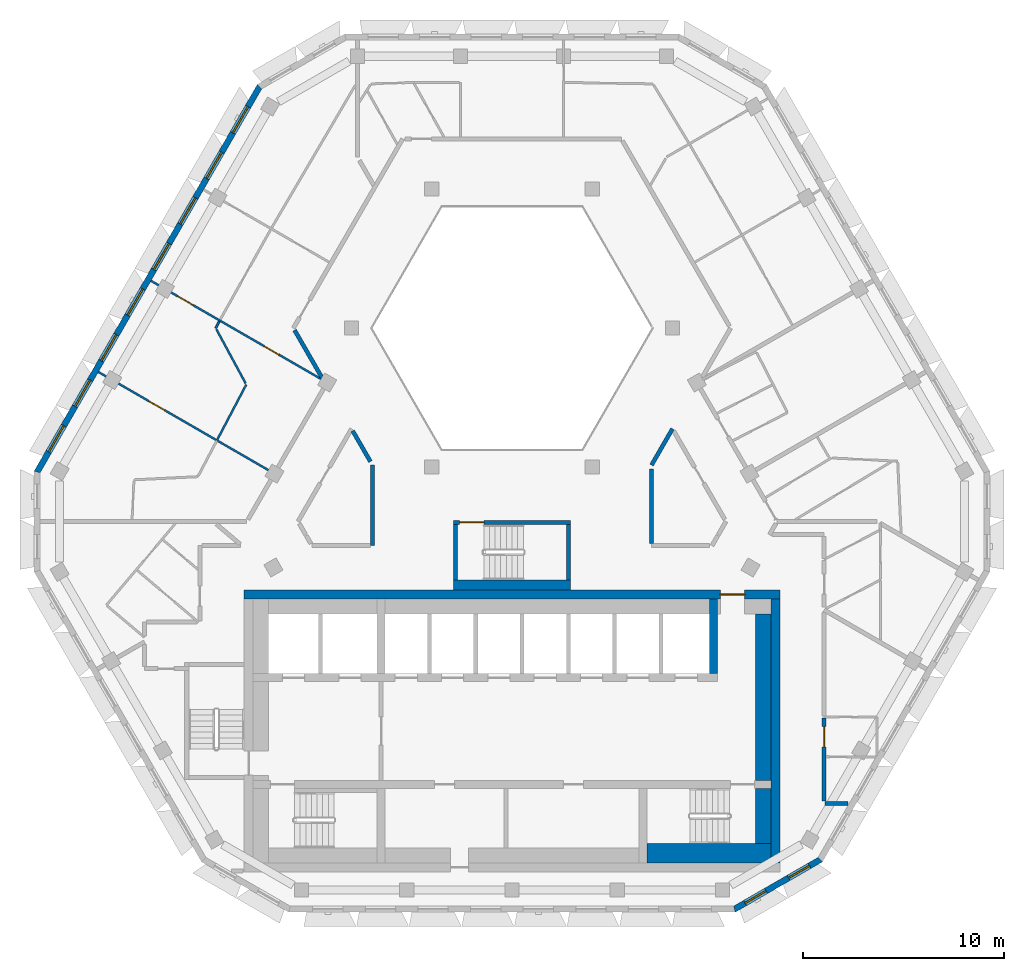
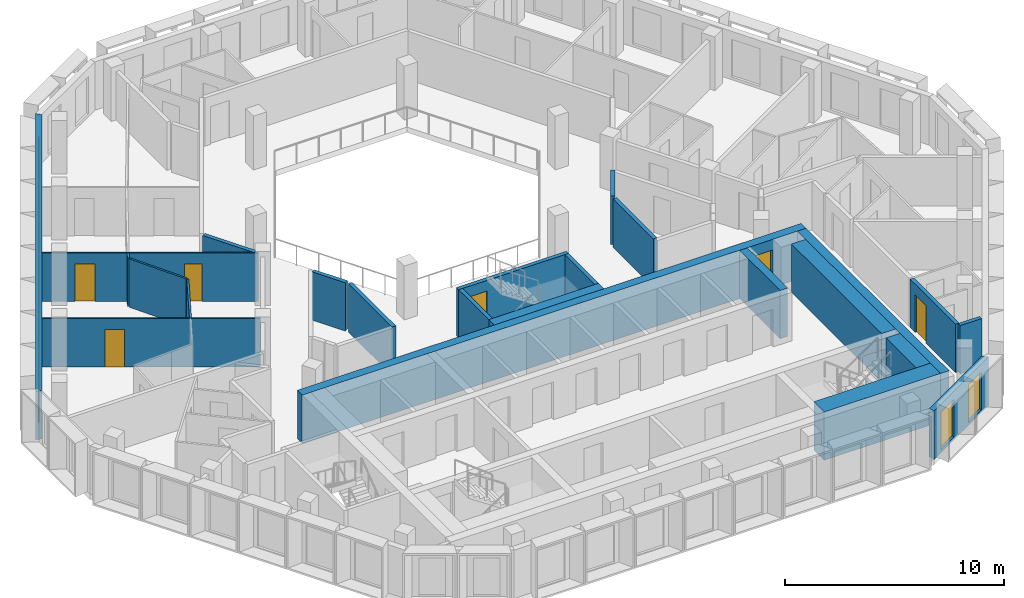
# One storey, part 5 of 16: 24 walls, 10 windows, 6 doors, 16 openings.
"""IFC4 building model written with IfcOpenShell, lengths in metres."""

from ifc_helpers import new_model, si_unit, direction, frame, frame_2d, origin, place, context, subcontext, project, spatial, polyline, rectangle, outline, extrude, material, layer, layer_set, type_object, element, fill, save


model = new_model("IFC4")

# Units and contexts
model_context = context("Model", 3, precision=1e-05, world=origin(), true_north=direction((0.0, 1.0)))
body_context = subcontext(model_context, "Body", "Model", "MODEL_VIEW")
ifc_project = project(units=[si_unit("LENGTHUNIT", "METRE"), si_unit("AREAUNIT", "SQUARE_METRE"), si_unit("VOLUMEUNIT", "CUBIC_METRE"), si_unit("PLANEANGLEUNIT", "RADIAN"), si_unit("MASSUNIT", "GRAM", prefix="KILO")], contexts=[model_context])

# Site, building, storey
site_placement = place(None, origin())
site = spatial("IfcSite", under=ifc_project, at=site_placement, CompositionType="ELEMENT")
building_placement = place(site_placement, origin())
building = spatial("IfcBuilding", under=site, at=building_placement, Name="Beryl Residences", CompositionType="ELEMENT")
storey_placement = place(building_placement, frame((0.0, 0.0, 238.800048828125)))
storey = spatial("IfcBuildingStorey", under=building, at=storey_placement, Name="L74", CompositionType="ELEMENT", Elevation=238.800048828125)

# Wall, openings, windows
ifc_material_1 = material(Name="Composite metal panel with mineral wool insulation")
ifc_layer_1 = layer(ifc_material_1, 0.300048828125)
ifc_layer_set_1 = layer_set([ifc_layer_1], Name="ES1 pale metal composite panel wall 300 mm")
wall_type_1 = type_object("IfcWallType", Name="ES1 pale metal composite panel wall 300 mm", PredefinedType="SOLIDWALL", material=ifc_layer_set_1)
wall_1_placement = place(storey_placement, frame((-12.513916015625, 20.02490234375, 0.0), z_axis=(0.0, 0.0, 1.0), x_axis=(-0.500003656944, -0.866023292436, 0.0)))
wall_1 = element("IfcWall", 1, at=wall_1_placement, inside=storey, type_object=wall_type_1, Name="ES1 external wall L74 NW", PredefinedType="SOLIDWALL", context=body_context, shape_type="SweptSolid", body=[
    extrude(outline(polyline([(0.0, -0.14990234375), (22.170166015625, -0.14990234375), (22.08984375, 0.14990234375), (0.080322265625, 0.14990234375), (0.0, -0.14990234375)])), origin(), (0.0, 0.0, 1.0), 2.699951171875),
])
opening_1_placement = place(wall_1_placement, frame((1.19091796875, 0.0, 0.14990234375)))
opening_1 = element("IfcOpeningElement", 2, at=opening_1_placement, cuts=wall_1, Name="Opening W1", PredefinedType="OPENING", context=body_context, shape_type="SweptSolid", body=[
    extrude(rectangle(XDim=1.5, YDim=2.10009765625, at=frame_2d((0.75, 1.050048828125))), frame((0.0, 0.159912109375, 0.0), z_axis=(0.0, -1.0, 0.0), x_axis=(1.0, 0.0, 0.0)), (0.0, 0.0, 1.0), 0.320068359375),
])
opening_2_placement = place(wall_1_placement, frame((3.803955078125, 0.0, 0.14990234375)))
opening_2 = element("IfcOpeningElement", 3, at=opening_2_placement, cuts=wall_1, Name="Opening W1", PredefinedType="OPENING", context=body_context, shape_type="SweptSolid", body=[
    extrude(rectangle(XDim=1.5, YDim=2.10009765625, at=frame_2d((0.75, 1.050048828125))), frame((0.0, 0.159912109375, 0.0), z_axis=(0.0, -1.0, 0.0), x_axis=(1.0, 0.0, 0.0)), (0.0, 0.0, 1.0), 0.320068359375),
])
opening_3_placement = place(wall_1_placement, frame((6.416015625, 0.0, 0.14990234375)))
opening_3 = element("IfcOpeningElement", 4, at=opening_3_placement, cuts=wall_1, Name="Opening W1", PredefinedType="OPENING", context=body_context, shape_type="SweptSolid", body=[
    extrude(rectangle(XDim=1.5, YDim=2.10009765625, at=frame_2d((0.75, 1.050048828125))), frame((0.0, 0.159912109375, 0.0), z_axis=(0.0, -1.0, 0.0), x_axis=(1.0, 0.0, 0.0)), (0.0, 0.0, 1.0), 0.320068359375),
])
opening_4_placement = place(wall_1_placement, frame((9.029052734375, 0.0, 0.14990234375)))
opening_4 = element("IfcOpeningElement", 5, at=opening_4_placement, cuts=wall_1, Name="Opening W1", PredefinedType="OPENING", context=body_context, shape_type="SweptSolid", body=[
    extrude(rectangle(XDim=1.5, YDim=2.10009765625, at=frame_2d((0.75, 1.050048828125))), frame((0.0, 0.159912109375, 0.0), z_axis=(0.0, -1.0, 0.0), x_axis=(1.0, 0.0, 0.0)), (0.0, 0.0, 1.0), 0.320068359375),
])
opening_5_placement = place(wall_1_placement, frame((11.64111328125, 0.0, 0.14990234375)))
opening_5 = element("IfcOpeningElement", 6, at=opening_5_placement, cuts=wall_1, Name="Opening W1", PredefinedType="OPENING", context=body_context, shape_type="SweptSolid", body=[
    extrude(rectangle(XDim=1.5, YDim=2.10009765625, at=frame_2d((0.75, 1.050048828125))), frame((0.0, 0.159912109375, 0.0), z_axis=(0.0, -1.0, 0.0), x_axis=(1.0, 0.0, 0.0)), (0.0, 0.0, 1.0), 0.320068359375),
])
opening_6_placement = place(wall_1_placement, frame((14.25390625, 0.0, 0.14990234375)))
opening_6 = element("IfcOpeningElement", 7, at=opening_6_placement, cuts=wall_1, Name="Opening W1", PredefinedType="OPENING", context=body_context, shape_type="SweptSolid", body=[
    extrude(rectangle(XDim=1.5, YDim=2.10009765625, at=frame_2d((0.75, 1.050048828125))), frame((0.0, 0.159912109375, 0.0), z_axis=(0.0, -1.0, 0.0), x_axis=(1.0, 0.0, 0.0)), (0.0, 0.0, 1.0), 0.320068359375),
])
opening_7_placement = place(wall_1_placement, frame((16.865966796875, 0.0, 0.14990234375)))
opening_7 = element("IfcOpeningElement", 8, at=opening_7_placement, cuts=wall_1, Name="Opening W1", PredefinedType="OPENING", context=body_context, shape_type="SweptSolid", body=[
    extrude(rectangle(XDim=1.5, YDim=2.10009765625, at=frame_2d((0.75, 1.050048828125))), frame((0.0, 0.159912109375, 0.0), z_axis=(0.0, -1.0, 0.0), x_axis=(1.0, 0.0, 0.0)), (0.0, 0.0, 1.0), 0.320068359375),
])
opening_8_placement = place(wall_1_placement, frame((19.47900390625, 0.0, 0.14990234375)))
opening_8 = element("IfcOpeningElement", 9, at=opening_8_placement, cuts=wall_1, Name="Opening W1", PredefinedType="OPENING", context=body_context, shape_type="SweptSolid", body=[
    extrude(rectangle(XDim=1.5, YDim=2.10009765625, at=frame_2d((0.75, 1.050048828125))), frame((0.0, 0.159912109375, 0.0), z_axis=(0.0, -1.0, 0.0), x_axis=(1.0, 0.0, 0.0)), (0.0, 0.0, 1.0), 0.320068359375),
])
ifc_material_2 = material(Name="Aluminium and clear glass", Category="aluminium")
window_type_1 = type_object("IfcWindowType", Name="W1 cell window 1500 x 2100 mm", PartitioningType="SINGLE_PANEL", PredefinedType="WINDOW", material=ifc_material_2)
window_1_placement = place(opening_1_placement, origin())
window_1 = element("IfcWindow", 10, at=window_1_placement, inside=storey, type_object=window_type_1, Name="W1 window L74 NW 1", OverallHeight=2.10009765625, OverallWidth=1.5, PartitioningType="SINGLE_PANEL", PredefinedType="WINDOW", context=body_context, shape_type="SweptSolid", body=[
    extrude(rectangle(XDim=1.5, YDim=2.10009765625, at=frame_2d((0.75, 1.050048828125))), frame((0.0, 0.030029296875, 0.0), z_axis=(0.0, -1.0, 0.0), x_axis=(1.0, 0.0, 0.0)), (0.0, 0.0, 1.0), 0.06005859375),
])
fill(opening_1, window_1)
window_2_placement = place(opening_2_placement, origin())
window_2 = element("IfcWindow", 11, at=window_2_placement, inside=storey, type_object=window_type_1, Name="W1 window L74 NW 2", OverallHeight=2.10009765625, OverallWidth=1.5, PartitioningType="SINGLE_PANEL", PredefinedType="WINDOW", context=body_context, shape_type="SweptSolid", body=[
    extrude(rectangle(XDim=1.5, YDim=2.10009765625, at=frame_2d((0.75, 1.050048828125))), frame((0.0, 0.030029296875, 0.0), z_axis=(0.0, -1.0, 0.0), x_axis=(1.0, 0.0, 0.0)), (0.0, 0.0, 1.0), 0.06005859375),
])
fill(opening_2, window_2)
window_3_placement = place(opening_3_placement, origin())
window_3 = element("IfcWindow", 12, at=window_3_placement, inside=storey, type_object=window_type_1, Name="W1 window L74 NW 3", OverallHeight=2.10009765625, OverallWidth=1.5, PartitioningType="SINGLE_PANEL", PredefinedType="WINDOW", context=body_context, shape_type="SweptSolid", body=[
    extrude(rectangle(XDim=1.5, YDim=2.10009765625, at=frame_2d((0.75, 1.050048828125))), frame((0.0, 0.030029296875, 0.0), z_axis=(0.0, -1.0, 0.0), x_axis=(1.0, 0.0, 0.0)), (0.0, 0.0, 1.0), 0.06005859375),
])
fill(opening_3, window_3)
window_4_placement = place(opening_4_placement, origin())
window_4 = element("IfcWindow", 13, at=window_4_placement, inside=storey, type_object=window_type_1, Name="W1 window L74 NW 4", OverallHeight=2.10009765625, OverallWidth=1.5, PartitioningType="SINGLE_PANEL", PredefinedType="WINDOW", context=body_context, shape_type="SweptSolid", body=[
    extrude(rectangle(XDim=1.5, YDim=2.10009765625, at=frame_2d((0.75, 1.050048828125))), frame((0.0, 0.030029296875, 0.0), z_axis=(0.0, -1.0, 0.0), x_axis=(1.0, 0.0, 0.0)), (0.0, 0.0, 1.0), 0.06005859375),
])
fill(opening_4, window_4)
window_5_placement = place(opening_5_placement, origin())
window_5 = element("IfcWindow", 14, at=window_5_placement, inside=storey, type_object=window_type_1, Name="W1 window L74 NW 5", OverallHeight=2.10009765625, OverallWidth=1.5, PartitioningType="SINGLE_PANEL", PredefinedType="WINDOW", context=body_context, shape_type="SweptSolid", body=[
    extrude(rectangle(XDim=1.5, YDim=2.10009765625, at=frame_2d((0.75, 1.050048828125))), frame((0.0, 0.030029296875, 0.0), z_axis=(0.0, -1.0, 0.0), x_axis=(1.0, 0.0, 0.0)), (0.0, 0.0, 1.0), 0.06005859375),
])
fill(opening_5, window_5)
window_6_placement = place(opening_6_placement, origin())
window_6 = element("IfcWindow", 15, at=window_6_placement, inside=storey, type_object=window_type_1, Name="W1 window L74 NW 6", OverallHeight=2.10009765625, OverallWidth=1.5, PartitioningType="SINGLE_PANEL", PredefinedType="WINDOW", context=body_context, shape_type="SweptSolid", body=[
    extrude(rectangle(XDim=1.5, YDim=2.10009765625, at=frame_2d((0.75, 1.050048828125))), frame((0.0, 0.030029296875, 0.0), z_axis=(0.0, -1.0, 0.0), x_axis=(1.0, 0.0, 0.0)), (0.0, 0.0, 1.0), 0.06005859375),
])
fill(opening_6, window_6)
window_7_placement = place(opening_7_placement, origin())
window_7 = element("IfcWindow", 16, at=window_7_placement, inside=storey, type_object=window_type_1, Name="W1 window L74 NW 7", OverallHeight=2.10009765625, OverallWidth=1.5, PartitioningType="SINGLE_PANEL", PredefinedType="WINDOW", context=body_context, shape_type="SweptSolid", body=[
    extrude(rectangle(XDim=1.5, YDim=2.10009765625, at=frame_2d((0.75, 1.050048828125))), frame((0.0, 0.030029296875, 0.0), z_axis=(0.0, -1.0, 0.0), x_axis=(1.0, 0.0, 0.0)), (0.0, 0.0, 1.0), 0.06005859375),
])
fill(opening_7, window_7)
window_8_placement = place(opening_8_placement, origin())
window_8 = element("IfcWindow", 17, at=window_8_placement, inside=storey, type_object=window_type_1, Name="W1 window L74 NW 8", OverallHeight=2.10009765625, OverallWidth=1.5, PartitioningType="SINGLE_PANEL", PredefinedType="WINDOW", context=body_context, shape_type="SweptSolid", body=[
    extrude(rectangle(XDim=1.5, YDim=2.10009765625, at=frame_2d((0.75, 1.050048828125))), frame((0.0, 0.030029296875, 0.0), z_axis=(0.0, -1.0, 0.0), x_axis=(1.0, 0.0, 0.0)), (0.0, 0.0, 1.0), 0.06005859375),
])
fill(opening_8, window_8)

wall_2_placement = place(storey_placement, frame((11.010009765625, -20.8701171875, 0.0), z_axis=(0.0, 0.0, 1.0), x_axis=(0.866022959057, 0.500004234368, 0.0)))
wall_2 = element("IfcWall", 18, at=wall_2_placement, inside=storey, type_object=wall_type_1, Name="ES1 external wall L74 S-SE", PredefinedType="SOLIDWALL", context=body_context, shape_type="SweptSolid", body=[
    extrude(outline(polyline([(0.0, -0.14990234375), (5.0, -0.14990234375), (4.919677734375, 0.14990234375), (0.080322265625, 0.14990234375), (0.0, -0.14990234375)])), origin(), (0.0, 0.0, 1.0), 2.699951171875),
])
opening_9_placement = place(wall_2_placement, frame((0.64990234375, 0.0, 0.14990234375)))
opening_9 = element("IfcOpeningElement", 19, at=opening_9_placement, cuts=wall_2, Name="Opening W2", PredefinedType="OPENING", context=body_context, shape_type="SweptSolid", body=[
    extrude(rectangle(XDim=1.199951171875, YDim=2.10009765625, at=frame_2d((0.60009765625, 1.050048828125))), frame((0.0, 0.159912109375, 0.0), z_axis=(0.0, -1.0, 0.0), x_axis=(1.0, 0.0, 0.0)), (0.0, 0.0, 1.0), 0.320068359375),
])
opening_10_placement = place(wall_2_placement, frame((3.14892578125, 0.0, 0.14990234375)))
opening_10 = element("IfcOpeningElement", 20, at=opening_10_placement, cuts=wall_2, Name="Opening W2", PredefinedType="OPENING", context=body_context, shape_type="SweptSolid", body=[
    extrude(rectangle(XDim=1.199951171875, YDim=2.10009765625, at=frame_2d((0.60009765625, 1.050048828125))), frame((0.0, 0.159912109375, 0.0), z_axis=(0.0, -1.0, 0.0), x_axis=(1.0, 0.0, 0.0)), (0.0, 0.0, 1.0), 0.320068359375),
])
ifc_material_3 = material(Name="Aluminium and clear glass", Category="aluminium")
window_type_2 = type_object("IfcWindowType", Name="W2 chamfer window 1200 x 2100 mm", PartitioningType="SINGLE_PANEL", PredefinedType="WINDOW", material=ifc_material_3)
window_9_placement = place(opening_9_placement, origin())
window_9 = element("IfcWindow", 21, at=window_9_placement, inside=storey, type_object=window_type_2, Name="W2 window L74 S-SE 1", OverallHeight=2.10009765625, OverallWidth=1.199951171875, PartitioningType="SINGLE_PANEL", PredefinedType="WINDOW", context=body_context, shape_type="SweptSolid", body=[
    extrude(rectangle(XDim=1.199951171875, YDim=2.10009765625, at=frame_2d((0.60009765625, 1.050048828125))), frame((0.0, 0.030029296875, 0.0), z_axis=(0.0, -1.0, 0.0), x_axis=(1.0, 0.0, 0.0)), (0.0, 0.0, 1.0), 0.06005859375),
])
fill(opening_9, window_9)
window_10_placement = place(opening_10_placement, origin())
window_10 = element("IfcWindow", 22, at=window_10_placement, inside=storey, type_object=window_type_2, Name="W2 window L74 S-SE 2", OverallHeight=2.10009765625, OverallWidth=1.199951171875, PartitioningType="SINGLE_PANEL", PredefinedType="WINDOW", context=body_context, shape_type="SweptSolid", body=[
    extrude(rectangle(XDim=1.199951171875, YDim=2.10009765625, at=frame_2d((0.60009765625, 1.050048828125))), frame((0.0, 0.030029296875, 0.0), z_axis=(0.0, -1.0, 0.0), x_axis=(1.0, 0.0, 0.0)), (0.0, 0.0, 1.0), 0.06005859375),
])
fill(opening_10, window_10)

# Wall
ifc_material_4 = material(Name="Gypsum board partition on steel studs", Category="steel")
ifc_layer_2 = layer(ifc_material_4, 0.10009765625)
ifc_layer_set_2 = layer_set([ifc_layer_2], Name="PT1 partition 100 mm gypsum board on steel studs")
wall_type_2 = type_object("IfcWallType", Name="PT1 partition 100 mm gypsum board on steel studs", PredefinedType="PARTITIONING", material=ifc_layer_set_2)
wall_3_placement = place(storey_placement, frame((-14.679931640625, 7.947021484375, 0.0), z_axis=(0.0, 0.0, 1.0), x_axis=(0.475823637798, -0.879540712936, 0.0)))
element("IfcWall", 23, at=wall_3_placement, inside=storey, type_object=wall_type_2, Name="Wall PT1 L74 009", PredefinedType="PARTITIONING", context=body_context, shape_type="SweptSolid", body=[
    extrude(rectangle(XDim=3.064208984375, YDim=0.10009765625, at=frame_2d((1.5322265625, 0.0))), origin(), (0.0, 0.0, 1.0), 2.699951171875),
])

# Wall, opening, door
wall_4_placement = place(storey_placement, frame((-20.5390625, 5.824951171875, 0.0), z_axis=(0.0, 0.0, 1.0), x_axis=(0.866047370643, -0.499961950354, 0.0)))
wall_4 = element("IfcWall", 24, at=wall_4_placement, inside=storey, type_object=wall_type_2, Name="Wall PT1 L74 016", PredefinedType="PARTITIONING", context=body_context, shape_type="SweptSolid", body=[
    extrude(rectangle(XDim=10.000732421875, YDim=0.10009765625, at=frame_2d((5.00048828125, 0.0))), origin(), (0.0, 0.0, 1.0), 2.699951171875),
])
opening_11_placement = place(wall_4_placement, frame((2.886962890625, 0.0, 0.0)))
opening_11 = element("IfcOpeningElement", 25, at=opening_11_placement, cuts=wall_4, Name="Opening D2017", PredefinedType="OPENING", context=body_context, shape_type="SweptSolid", body=[
    extrude(rectangle(XDim=0.89990234375, YDim=2.10009765625, at=frame_2d((0.449951171875, 1.050048828125))), frame((0.0, 0.06005859375, 0.0), z_axis=(0.0, -1.0, 0.0), x_axis=(1.0, 0.0, 0.0)), (0.0, 0.0, 1.0), 0.1201171875),
])
ifc_material_5 = material(Name="Timber door leaf", Category="wood")
door_type_1 = type_object("IfcDoorType", Name="D2 room door 900 x 2100 mm", OperationType="SINGLE_SWING_LEFT", PredefinedType="DOOR", material=ifc_material_5)
door_1_placement = place(opening_11_placement, origin())
door_1 = element("IfcDoor", 26, at=door_1_placement, inside=storey, type_object=door_type_1, Name="Door D2017 L74 001", OperationType="SINGLE_SWING_LEFT", OverallHeight=2.10009765625, OverallWidth=0.89990234375, PredefinedType="DOOR", context=body_context, shape_type="SweptSolid", body=[
    extrude(rectangle(XDim=0.89990234375, YDim=2.10009765625, at=frame_2d((0.449951171875, 1.050048828125))), frame((0.0, 0.02490234375, 0.0), z_axis=(0.0, -1.0, 0.0), x_axis=(1.0, 0.0, 0.0)), (0.0, 0.0, 1.0), 0.050048828125),
])
fill(opening_11, door_1)

# Wall, openings, doors
wall_5_placement = place(storey_placement, frame((-17.926025390625, 10.35009765625, 0.0), z_axis=(0.0, 0.0, 1.0), x_axis=(0.866018411306, -0.500012111133, 0.0)))
wall_5 = element("IfcWall", 27, at=wall_5_placement, inside=storey, type_object=wall_type_2, Name="Wall PT1 L74 017", PredefinedType="PARTITIONING", context=body_context, shape_type="SweptSolid", body=[
    extrude(rectangle(XDim=9.898193359375, YDim=0.10009765625, at=frame_2d((4.94921875, 0.0))), origin(), (0.0, 0.0, 1.0), 2.699951171875),
])
opening_12_placement = place(wall_5_placement, frame((6.52001953125, 0.0, 0.0)))
opening_12 = element("IfcOpeningElement", 28, at=opening_12_placement, cuts=wall_5, Name="Opening D2012", PredefinedType="OPENING", context=body_context, shape_type="SweptSolid", body=[
    extrude(rectangle(XDim=0.800048828125, YDim=2.10009765625, at=frame_2d((0.39990234375, 1.050048828125))), frame((0.0, 0.06005859375, 0.0), z_axis=(0.0, -1.0, 0.0), x_axis=(1.0, 0.0, 0.0)), (0.0, 0.0, 1.0), 0.1201171875),
])
opening_13_placement = place(wall_5_placement, frame((1.52099609375, 0.0, 0.0)))
opening_13 = element("IfcOpeningElement", 29, at=opening_13_placement, cuts=wall_5, Name="Opening D2015", PredefinedType="OPENING", context=body_context, shape_type="SweptSolid", body=[
    extrude(rectangle(XDim=0.89990234375, YDim=2.10009765625, at=frame_2d((0.449951171875, 1.050048828125))), frame((0.0, 0.06005859375, 0.0), z_axis=(0.0, -1.0, 0.0), x_axis=(1.0, 0.0, 0.0)), (0.0, 0.0, 1.0), 0.1201171875),
])
door_2_placement = place(opening_13_placement, origin())
door_2 = element("IfcDoor", 30, at=door_2_placement, inside=storey, type_object=door_type_1, Name="Door D2015 L74 001", OperationType="SINGLE_SWING_LEFT", OverallHeight=2.10009765625, OverallWidth=0.89990234375, PredefinedType="DOOR", context=body_context, shape_type="SweptSolid", body=[
    extrude(rectangle(XDim=0.89990234375, YDim=2.10009765625, at=frame_2d((0.449951171875, 1.050048828125))), frame((0.0, 0.02490234375, 0.0), z_axis=(0.0, -1.0, 0.0), x_axis=(1.0, 0.0, 0.0)), (0.0, 0.0, 1.0), 0.050048828125),
])
fill(opening_13, door_2)
ifc_material_6 = material(Name="Timber door leaf", Category="wood")
door_type_2 = type_object("IfcDoorType", Name="D3 bathroom door 800 x 2100 mm", OperationType="SINGLE_SWING_LEFT", PredefinedType="DOOR", material=ifc_material_6)
door_3_placement = place(opening_12_placement, origin())
door_3 = element("IfcDoor", 31, at=door_3_placement, inside=storey, type_object=door_type_2, Name="Door D2012 L74 001", OperationType="SINGLE_SWING_RIGHT", OverallHeight=2.10009765625, OverallWidth=0.800048828125, PredefinedType="DOOR", context=body_context, shape_type="SweptSolid", body=[
    extrude(rectangle(XDim=0.800048828125, YDim=2.10009765625, at=frame_2d((0.39990234375, 1.050048828125))), frame((0.0, 0.02490234375, 0.0), z_axis=(0.0, -1.0, 0.0), x_axis=(1.0, 0.0, 0.0)), (0.0, 0.0, 1.0), 0.050048828125),
])
fill(opening_12, door_3)

# Walls
wall_6_placement = place(storey_placement, frame((-14.708984375, 8.0, 0.0), z_axis=(0.0, 0.0, 1.0), x_axis=(0.459088195065, 0.888390696232, 0.0)))
element("IfcWall", 32, at=wall_6_placement, inside=storey, type_object=wall_type_2, Name="Wall PT1 L74 029", PredefinedType="PARTITIONING", context=body_context, shape_type="SweptSolid", body=[
    extrude(rectangle(XDim=0.376953125, YDim=0.10009765625, at=frame_2d((0.1884765625, 0.0))), origin(), (0.0, 0.0, 1.0), 2.699951171875),
])
wall_7_placement = place(storey_placement, frame((-14.652099609375, 2.426025390625, 0.0), z_axis=(0.0, 0.0, 1.0), x_axis=(0.465502421984, 0.885046606189, 0.0)))
element("IfcWall", 33, at=wall_7_placement, inside=storey, type_object=wall_type_2, Name="Wall PT1 L74 047", PredefinedType="PARTITIONING", context=body_context, shape_type="SweptSolid", body=[
    extrude(rectangle(XDim=3.13427734375, YDim=0.10009765625, at=frame_2d((1.567138671875, 0.0))), origin(), (0.0, 0.0, 1.0), 2.699951171875),
])
ifc_material_7 = material(Name="Concrete masonry", Category="masonry")
ifc_layer_3 = layer(ifc_material_7, 0.75)
ifc_layer_set_3 = layer_set([ifc_layer_3], Name="PT13-750 lobby wall 750 mm")
wall_type_3 = type_object("IfcWallType", Name="PT13-750 lobby wall 750 mm", PredefinedType="PARTITIONING", material=ifc_layer_set_3)
wall_8_placement = place(storey_placement, frame((12.47509765625, -14.449951171875, 0.0), z_axis=(0.0, 0.0, 1.0), x_axis=(0.0, 1.0, 0.0)))
element("IfcWall", 34, at=wall_8_placement, inside=storey, type_object=wall_type_3, Name="Lobby wall 27", PredefinedType="PARTITIONING", context=body_context, shape_type="SweptSolid", body=[
    extrude(rectangle(XDim=8.25, YDim=0.75, at=frame_2d((4.125, 0.0))), origin(), (0.0, 0.0, 1.0), 2.699951171875),
])
ifc_material_8 = material(Name="Acoustic double stud gypsum board wall")
ifc_layer_4 = layer(ifc_material_8, 0.199951171875)
ifc_layer_set_4 = layer_set([ifc_layer_4], Name="PT3 party wall 200 mm acoustic double stud")
wall_type_4 = type_object("IfcWallType", Name="PT3 party wall 200 mm acoustic double stud", PredefinedType="PARTITIONING", material=ifc_layer_set_4)
wall_9_placement = place(storey_placement, frame((15.530029296875, -15.591064453125, 0.0), z_axis=(0.0, 0.0, 1.0), x_axis=(0.999986907027, -0.005117203789, 0.0)))
element("IfcWall", 35, at=wall_9_placement, inside=storey, type_object=wall_type_4, Name="Wall PT3 L74 001", PredefinedType="PARTITIONING", context=body_context, shape_type="SweptSolid", body=[
    extrude(rectangle(XDim=1.14501953125, YDim=0.199951171875, at=frame_2d((0.572509765625, 0.0))), origin(), (0.0, 0.0, 1.0), 2.699951171875),
])
ifc_material_9 = material(Name="Double stud gypsum board wall")
ifc_layer_5 = layer(ifc_material_9, 0.199951171875)
ifc_layer_set_5 = layer_set([ifc_layer_5], Name="PT4 corridor wall 200 mm double stud")
wall_type_5 = type_object("IfcWallType", Name="PT4 corridor wall 200 mm double stud", PredefinedType="PARTITIONING", material=ifc_layer_set_5)
wall_10_placement = place(storey_placement, frame((-10.7958984375, 7.89990234375, 0.0), z_axis=(0.0, 0.0, 1.0), x_axis=(0.499797758538, -0.866142136465, 0.0)))
element("IfcWall", 36, at=wall_10_placement, inside=storey, type_object=wall_type_5, Name="Wall PT4 L74 001", PredefinedType="PARTITIONING", context=body_context, shape_type="SweptSolid", body=[
    extrude(rectangle(XDim=2.712890625, YDim=0.199951171875, at=frame_2d((1.3564453125, 0.0))), origin(), (0.0, 0.0, 1.0), 2.699951171875),
])
wall_11_placement = place(storey_placement, frame((-7.908935546875, 2.89794921875, 0.0), z_axis=(0.0, 0.0, 1.0), x_axis=(0.50019444547, -0.865913111531, 0.0)))
element("IfcWall", 37, at=wall_11_placement, inside=storey, type_object=wall_type_5, Name="Wall PT4 L74 002", PredefinedType="PARTITIONING", context=body_context, shape_type="SweptSolid", body=[
    extrude(rectangle(XDim=1.760986328125, YDim=0.199951171875, at=frame_2d((0.88037109375, 0.0))), origin(), (0.0, 0.0, 1.0), 2.699951171875),
])
wall_12_placement = place(storey_placement, frame((6.927978515625, 1.0, 0.0), z_axis=(0.0, 0.0, 1.0), x_axis=(0.0, -1.0, 0.0)))
element("IfcWall", 38, at=wall_12_placement, inside=storey, type_object=wall_type_5, Name="Wall PT4 L74 009", PredefinedType="PARTITIONING", context=body_context, shape_type="SweptSolid", body=[
    extrude(rectangle(XDim=3.698974609375, YDim=0.199951171875, at=frame_2d((1.849609375, 0.0))), origin(), (0.0, 0.0, 1.0), 2.699951171875),
])
wall_13_placement = place(storey_placement, frame((6.927978515625, 1.199951171875, 0.0), z_axis=(0.0, 0.0, 1.0), x_axis=(0.500132712588, 0.865948768577, 0.0)))
element("IfcWall", 39, at=wall_13_placement, inside=storey, type_object=wall_type_5, Name="Wall PT4 L74 019", PredefinedType="PARTITIONING", context=body_context, shape_type="SweptSolid", body=[
    extrude(rectangle(XDim=2.07763671875, YDim=0.199951171875, at=frame_2d((1.038818359375, 0.0))), origin(), (0.0, 0.0, 1.0), 2.699951171875),
])

# Wall, opening, door
wall_14_placement = place(storey_placement, frame((15.5, -15.489990234375, 0.0), z_axis=(0.0, 0.0, 1.0), x_axis=(0.0, 1.0, 0.0)))
wall_14 = element("IfcWall", 40, at=wall_14_placement, inside=storey, type_object=wall_type_5, Name="Wall PT4 L74 027", PredefinedType="PARTITIONING", context=body_context, shape_type="SweptSolid", body=[
    extrude(rectangle(XDim=4.139892578125, YDim=0.199951171875, at=frame_2d((2.06982421875, 0.0))), origin(), (0.0, 0.0, 1.0), 2.699951171875),
])
opening_14_placement = place(wall_14_placement, frame((2.699951171875, 0.0, 0.0)))
opening_14 = element("IfcOpeningElement", 41, at=opening_14_placement, cuts=wall_14, Name="Opening D2024", PredefinedType="OPENING", context=body_context, shape_type="SweptSolid", body=[
    extrude(rectangle(XDim=1.0, YDim=2.10009765625, at=frame_2d((0.5, 1.050048828125))), frame((0.0, 0.10986328125, 0.0), z_axis=(0.0, -1.0, 0.0), x_axis=(1.0, 0.0, 0.0)), (0.0, 0.0, 1.0), 0.219970703125),
])
ifc_material_10 = material(Name="Timber door leaf", Category="wood")
door_type_3 = type_object("IfcDoorType", Name="D1 flat entrance door 1000 x 2100 mm", OperationType="SINGLE_SWING_LEFT", PredefinedType="DOOR", material=ifc_material_10)
door_4_placement = place(opening_14_placement, origin())
door_4 = element("IfcDoor", 42, at=door_4_placement, inside=storey, type_object=door_type_3, Name="Door D2024 L74 001", OperationType="SINGLE_SWING_RIGHT", OverallHeight=2.10009765625, OverallWidth=1.0, PredefinedType="DOOR", context=body_context, shape_type="SweptSolid", body=[
    extrude(rectangle(XDim=1.0, YDim=2.10009765625, at=frame_2d((0.5, 1.050048828125))), frame((0.0, 0.02490234375, 0.0), z_axis=(0.0, -1.0, 0.0), x_axis=(1.0, 0.0, 0.0)), (0.0, 0.0, 1.0), 0.050048828125),
])
fill(opening_14, door_4)

# Wall
wall_15_placement = place(storey_placement, frame((-6.927978515625, -2.799072265625, 0.0), z_axis=(0.0, 0.0, 1.0), x_axis=(0.0, 1.0, 0.0)))
element("IfcWall", 43, at=wall_15_placement, inside=storey, type_object=wall_type_5, Name="Wall PT4 L74 029", PredefinedType="PARTITIONING", context=body_context, shape_type="SweptSolid", body=[
    extrude(rectangle(XDim=3.9990234375, YDim=0.199951171875, at=frame_2d((1.99951171875, 0.0))), origin(), (0.0, 0.0, 1.0), 2.699951171875),
])

# Wall, opening, door
ifc_material_11 = material(Name="Concrete C40/50", Category="concrete")
ifc_layer_6 = layer(ifc_material_11, 0.199951171875)
ifc_layer_set_6 = layer_set([ifc_layer_6], Name="PT5 stair enclosure wall 200 mm reinforced concrete C40/50")
wall_type_6 = type_object("IfcWallType", Name="PT5 stair enclosure wall 200 mm reinforced concrete C40/50", PredefinedType="SOLIDWALL", material=ifc_layer_set_6)
wall_16_placement = place(storey_placement, frame((-2.89990234375, -1.64990234375, 0.0), z_axis=(0.0, 0.0, 1.0), x_axis=(1.0, 0.0, 0.0)))
wall_16 = element("IfcWall", 44, at=wall_16_placement, inside=storey, type_object=wall_type_6, Name="Wall PT5 L74 001", PredefinedType="SOLIDWALL", context=body_context, shape_type="SweptSolid", body=[
    extrude(rectangle(XDim=5.7998046875, YDim=0.199951171875, at=frame_2d((2.89990234375, 0.0))), origin(), (0.0, 0.0, 1.0), 2.699951171875),
])
opening_15_placement = place(wall_16_placement, frame((0.300048828125, 0.0, 0.0)))
opening_15 = element("IfcOpeningElement", 45, at=opening_15_placement, cuts=wall_16, Name="Opening DS04", PredefinedType="OPENING", context=body_context, shape_type="SweptSolid", body=[
    extrude(rectangle(XDim=1.199951171875, YDim=2.10009765625, at=frame_2d((0.60009765625, 1.050048828125))), frame((0.0, 0.10986328125, 0.0), z_axis=(0.0, -1.0, 0.0), x_axis=(1.0, 0.0, 0.0)), (0.0, 0.0, 1.0), 0.219970703125),
])
ifc_material_12 = material(Name="Steel door leaf in steel frame", Category="steel")
door_type_4 = type_object("IfcDoorType", Name="D4 stair door 1200 x 2100 mm", OperationType="SINGLE_SWING_LEFT", PredefinedType="DOOR", material=ifc_material_12)
door_5_placement = place(opening_15_placement, origin())
door_5 = element("IfcDoor", 46, at=door_5_placement, inside=storey, type_object=door_type_4, Name="Door DS04 L74 001", OperationType="SINGLE_SWING_LEFT", OverallHeight=2.10009765625, OverallWidth=1.199951171875, PredefinedType="DOOR", context=body_context, shape_type="SweptSolid", body=[
    extrude(rectangle(XDim=1.199951171875, YDim=2.10009765625, at=frame_2d((0.60009765625, 1.050048828125))), frame((0.0, 0.02490234375, 0.0), z_axis=(0.0, -1.0, 0.0), x_axis=(1.0, 0.0, 0.0)), (0.0, 0.0, 1.0), 0.050048828125),
])
fill(opening_15, door_5)

# Walls
for number, where, z_axis, x_axis, name in (
    (47, (-2.800048828125, -4.5, 0.0), (0.0, 0.0, 1.0), (0.0, 1.0, 0.0), "Wall PT5 L74 002"),
    (48, (2.800048828125, -4.5, 0.0), (0.0, 0.0, 1.0), (0.0, 1.0, 0.0), "Wall PT5 L74 003"),
):
    element("IfcWall", number, at=place(storey_placement, frame(where, z_axis=z_axis, x_axis=x_axis)), inside=storey, type_object=wall_type_6, Name=name, PredefinedType="SOLIDWALL", context=body_context, shape_type="SweptSolid", body=[
        extrude(rectangle(XDim=2.75, YDim=0.199951171875, at=frame_2d((1.375, 0.0))), origin(), (0.0, 0.0, 1.0), 2.699951171875),
    ])
ifc_material_13 = material(Name="Concrete C40/50", Category="concrete")
ifc_layer_7 = layer(ifc_material_13, 0.5)
ifc_layer_set_7 = layer_set([ifc_layer_7], Name="PT5-500 stair enclosure wall 500 mm")
wall_type_7 = type_object("IfcWallType", Name="PT5-500 stair enclosure wall 500 mm", PredefinedType="SOLIDWALL", material=ifc_layer_set_7)
wall_17_placement = place(storey_placement, frame((-2.89990234375, -4.75, 0.0), z_axis=(0.0, 0.0, 1.0), x_axis=(1.0, 0.0, 0.0)))
element("IfcWall", 49, at=wall_17_placement, inside=storey, type_object=wall_type_7, Name="Wall PT5-500 L74 001", PredefinedType="SOLIDWALL", context=body_context, shape_type="SweptSolid", body=[
    extrude(rectangle(XDim=5.7998046875, YDim=0.5, at=frame_2d((2.89990234375, 0.0))), origin(), (0.0, 0.0, 1.0), 2.699951171875),
])
ifc_material_14 = material(Name="Concrete C40/50", Category="concrete")
ifc_layer_8 = layer(ifc_material_14, 0.75)
ifc_layer_set_8 = layer_set([ifc_layer_8], Name="PT5-750 stair enclosure wall 750 mm")
wall_type_8 = type_object("IfcWallType", Name="PT5-750 stair enclosure wall 750 mm", PredefinedType="SOLIDWALL", material=ifc_layer_set_8)
wall_18_placement = place(storey_placement, frame((12.47509765625, -17.60009765625, 0.0), z_axis=(0.0, 0.0, 1.0), x_axis=(0.0, 1.0, 0.0)))
element("IfcWall", 50, at=wall_18_placement, inside=storey, type_object=wall_type_8, Name="Stair wall 26", PredefinedType="SOLIDWALL", context=body_context, shape_type="SweptSolid", body=[
    extrude(rectangle(XDim=2.75, YDim=0.75, at=frame_2d((1.375, 0.0))), origin(), (0.0, 0.0, 1.0), 2.699951171875),
])
ifc_material_15 = material(Name="Concrete C40/50", Category="concrete")
ifc_layer_9 = layer(ifc_material_15, 0.949951171875)
ifc_layer_set_9 = layer_set([ifc_layer_9], Name="PT5-950 stair enclosure wall 950 mm")
wall_type_9 = type_object("IfcWallType", Name="PT5-950 stair enclosure wall 950 mm", PredefinedType="SOLIDWALL", material=ifc_layer_set_9)
wall_19_placement = place(storey_placement, frame((6.699951171875, -18.074951171875, 0.0), z_axis=(0.0, 0.0, 1.0), x_axis=(1.0, 0.0, 0.0)))
element("IfcWall", 51, at=wall_19_placement, inside=storey, type_object=wall_type_9, Name="Stair wall 22", PredefinedType="SOLIDWALL", context=body_context, shape_type="SweptSolid", body=[
    extrude(rectangle(XDim=6.150146484375, YDim=0.949951171875, at=frame_2d((3.0751953125, 0.0))), origin(), (0.0, 0.0, 1.0), 2.699951171875),
])
ifc_material_16 = material(Name="Concrete C50/60", Category="concrete")
ifc_layer_10 = layer(ifc_material_16, 0.39990234375)
ifc_layer_set_10 = layer_set([ifc_layer_10], Name="SW10 core internal wall 400 mm C50/60")
wall_type_10 = type_object("IfcWallType", Name="SW10 core internal wall 400 mm C50/60", PredefinedType="SHEAR", material=ifc_layer_set_10)
wall_20_placement = place(storey_placement, frame((10.0, -9.14990234375, 0.0), z_axis=(0.0, 0.0, 1.0), x_axis=(0.0, 1.0, 0.0)))
element("IfcWall", 52, at=wall_20_placement, inside=storey, type_object=wall_type_10, Name="Core wall XN2 L74", PredefinedType="SHEAR", context=body_context, shape_type="SweptSolid", body=[
    extrude(rectangle(XDim=3.699951171875, YDim=0.39990234375, at=frame_2d((1.85009765625, 0.0))), origin(), (0.0, 0.0, 1.0), 2.699951171875),
])

# Wall, opening, door
ifc_material_17 = material(Name="Concrete C50/60", Category="concrete")
ifc_layer_11 = layer(ifc_material_17, 0.449951171875)
ifc_layer_set_11 = layer_set([ifc_layer_11], Name="SW5 core outer wall 450 mm C50/60")
wall_type_11 = type_object("IfcWallType", Name="SW5 core outer wall 450 mm C50/60", PredefinedType="SHEAR", material=ifc_layer_set_11)
wall_21_placement = place(storey_placement, frame((-13.300048828125, -5.22509765625, 0.0), z_axis=(0.0, 0.0, 1.0), x_axis=(1.0, 0.0, 0.0)))
wall_21 = element("IfcWall", 53, at=wall_21_placement, inside=storey, type_object=wall_type_11, Name="Core wall N L74", PredefinedType="SHEAR", context=body_context, shape_type="SweptSolid", body=[
    extrude(rectangle(XDim=26.60009765625, YDim=0.449951171875, at=frame_2d((13.300048828125, 0.0))), origin(), (0.0, 0.0, 1.0), 2.699951171875),
])
opening_16_placement = place(wall_21_placement, frame((23.64990234375, 0.0, 0.0)))
opening_16 = element("IfcOpeningElement", 54, at=opening_16_placement, cuts=wall_21, Name="Opening FD-NORTH", PredefinedType="OPENING", context=body_context, shape_type="SweptSolid", body=[
    extrude(rectangle(XDim=1.199951171875, YDim=2.10009765625, at=frame_2d((0.60009765625, 1.050048828125))), frame((0.0, 0.23486328125, 0.0), z_axis=(0.0, -1.0, 0.0), x_axis=(1.0, 0.0, 0.0)), (0.0, 0.0, 1.0), 0.469970703125),
])
ifc_material_18 = material(Name="Steel door leaf in steel frame", Category="steel")
door_type_5 = type_object("IfcDoorType", Name="D22 lobby door 1200 x 2100 mm", OperationType="DOUBLE_DOOR_SINGLE_SWING", PredefinedType="DOOR", material=ifc_material_18)
door_6_placement = place(opening_16_placement, origin())
door_6 = element("IfcDoor", 55, at=door_6_placement, inside=storey, type_object=door_type_5, Name="Door FD-NORTH L74 001", OperationType="DOUBLE_DOOR_SINGLE_SWING", OverallHeight=2.10009765625, OverallWidth=1.199951171875, PredefinedType="DOOR", context=body_context, shape_type="SweptSolid", body=[
    extrude(rectangle(XDim=1.199951171875, YDim=2.10009765625, at=frame_2d((0.60009765625, 1.050048828125))), frame((0.0, 0.02490234375, 0.0), z_axis=(0.0, -1.0, 0.0), x_axis=(1.0, 0.0, 0.0)), (0.0, 0.0, 1.0), 0.050048828125),
])
fill(opening_16, door_6)

# Wall
wall_22_placement = place(storey_placement, frame((13.074951171875, -18.550048828125, 0.0), z_axis=(0.0, 0.0, 1.0), x_axis=(0.0, 1.0, 0.0)))
element("IfcWall", 56, at=wall_22_placement, inside=storey, type_object=wall_type_11, Name="Core wall E L74", PredefinedType="SHEAR", context=body_context, shape_type="SweptSolid", body=[
    extrude(rectangle(XDim=13.10009765625, YDim=0.449951171875, at=frame_2d((6.550048828125, 0.0))), origin(), (0.0, 0.0, 1.0), 2.699951171875),
])

save(model, "model.ifc")
